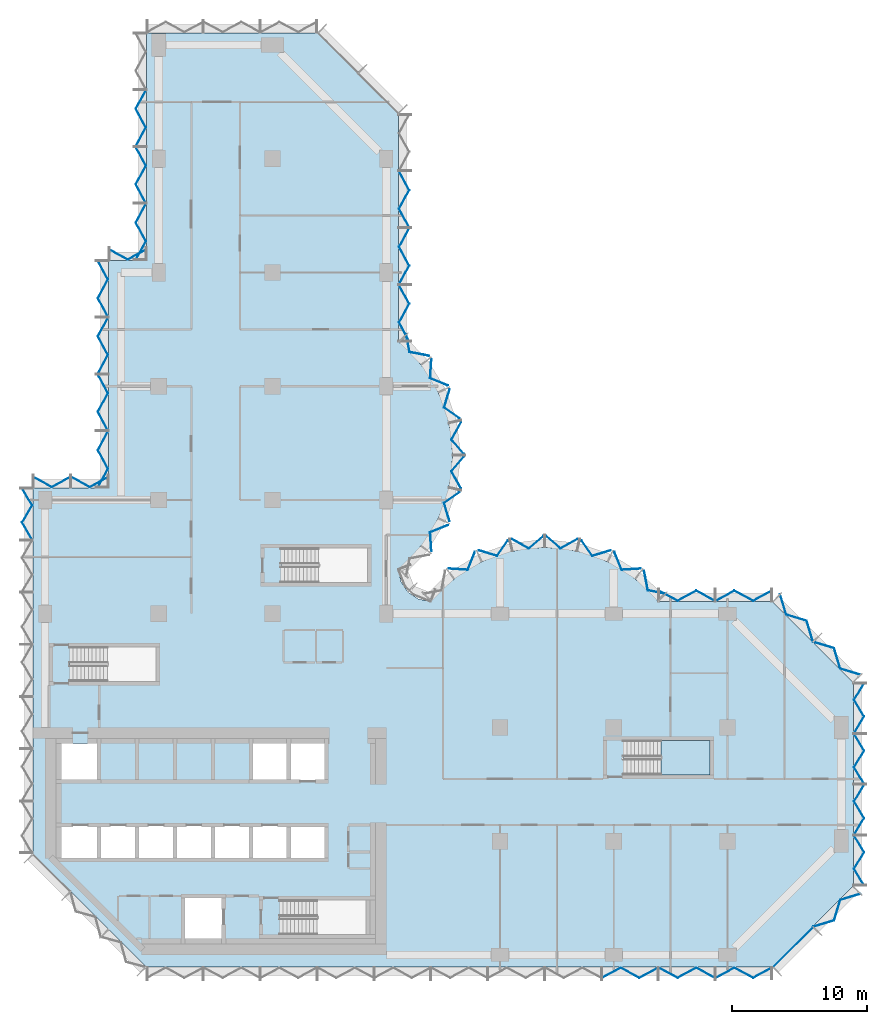
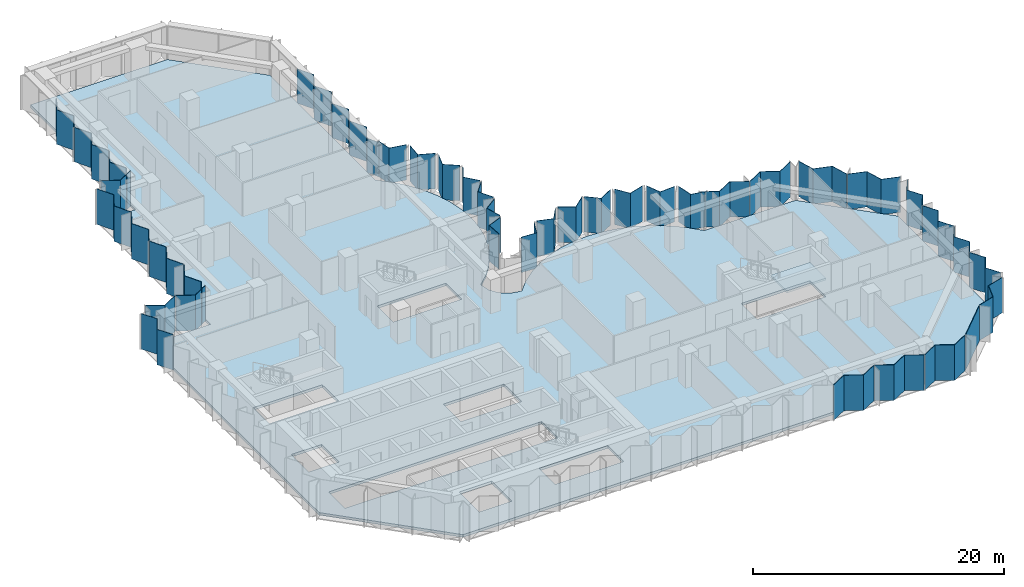
# One storey, part 4 of 11: 41 plates, 2 slabs, 14 elements without a shape of their own.
"""IFC4 building model written with IfcOpenShell, lengths in metres."""

from ifc_helpers import new_model, si_unit, direction, frame, origin, place, context, subcontext, project, spatial, polyline, outline, extrude, material, layer, layer_set, type_object, element, aggregate, save


model = new_model("IFC4")

# Units and contexts
model_context = context("Model", 3, precision=1e-05, world=origin(), true_north=direction((0.0, 1.0)))
body_context = subcontext(model_context, "Body", "Model", "MODEL_VIEW")
ifc_project = project(units=[si_unit("LENGTHUNIT", "METRE"), si_unit("AREAUNIT", "SQUARE_METRE"), si_unit("VOLUMEUNIT", "CUBIC_METRE"), si_unit("PLANEANGLEUNIT", "RADIAN"), si_unit("MASSUNIT", "GRAM", prefix="KILO")], contexts=[model_context])

# Site, building, storey
site_placement = place(None, origin())
site = spatial("IfcSite", under=ifc_project, at=site_placement, CompositionType="ELEMENT")
building_placement = place(site_placement, origin())
building = spatial("IfcBuilding", under=site, at=building_placement, Name="Brevane Broadcast Tower", CompositionType="ELEMENT")
storey_placement = place(building_placement, frame((0.0, 0.0, 152.89990234375)))
storey = spatial("IfcBuildingStorey", under=building, at=storey_placement, Name="L38", CompositionType="ELEMENT", Elevation=152.89990234375)

# Curtain wall, plates
ifc_material_1 = material(Name="Aluminium 6063-T6 bronze anodised", Category="aluminium")
curtain_wall_type = type_object("IfcCurtainWallType", Name="CW-1 curtain wall", PredefinedType="NOTDEFINED", material=ifc_material_1)
curtain_wall_1_placement = place(storey_placement, origin())
curtain_wall_1 = element("IfcCurtainWall", 1, at=curtain_wall_1_placement, inside=storey, type_object=curtain_wall_type, Name="CW-1 typical tilted unit L38 south face", PredefinedType="NOTDEFINED")
ifc_material_2 = material(Name="Laminated glass bronze-tinted", Category="glass")
ifc_layer_1 = layer(ifc_material_2, 0.0400390625)
ifc_layer_set_1 = layer_set([ifc_layer_1], Name="CW tall glass panel 40")
plate_type = type_object("IfcPlateType", Name="CW tall glass panel 40", PredefinedType="CURTAIN_PANEL", material=ifc_layer_set_1)
plate_1_placement = place(storey_placement, frame((0.0, 0.0, -0.14990234375)))
plate_1 = element("IfcPlate", 2, at=plate_1_placement, type_object=plate_type, Name="CW-1 glass panel", PredefinedType="CURTAIN_PANEL", context=body_context, shape_type="SweptSolid", body=[
    extrude(outline(polyline([(41.135009765625, -1.671630859375), (41.135009765625, -1.717041015625), (42.51171875, -0.97265625), (43.88818359375, -1.717041015625), (45.264892578125, -0.97265625), (45.264892578125, -0.92724609375), (43.88818359375, -1.671630859375), (42.51171875, -0.92724609375), (41.135009765625, -1.671630859375)])), origin(), (0.0, 0.0, 1.0), 3.449951171875),
])
plate_2_placement = place(storey_placement, frame((0.0, 0.0, -0.14990234375)))
plate_2 = element("IfcPlate", 3, at=plate_2_placement, type_object=plate_type, Name="CW-1 glass panel", PredefinedType="CURTAIN_PANEL", context=body_context, shape_type="SweptSolid", body=[
    extrude(outline(polyline([(45.3349609375, -0.92724609375), (45.3349609375, -0.97265625), (46.711669921875, -1.717041015625), (48.08837890625, -0.97265625), (49.465087890625, -1.717041015625), (49.465087890625, -1.671630859375), (48.08837890625, -0.92724609375), (46.711669921875, -1.671630859375), (45.3349609375, -0.92724609375)])), origin(), (0.0, 0.0, 1.0), 3.449951171875),
])
plate_3_placement = place(storey_placement, frame((0.0, 0.0, -0.14990234375)))
plate_3 = element("IfcPlate", 4, at=plate_3_placement, type_object=plate_type, Name="CW-1 glass panel", PredefinedType="CURTAIN_PANEL", context=body_context, shape_type="SweptSolid", body=[
    extrude(outline(polyline([(49.534912109375, -1.671630859375), (49.534912109375, -1.717041015625), (50.91162109375, -0.97265625), (52.288330078125, -1.717041015625), (53.6650390625, -0.97265625), (53.6650390625, -0.92724609375), (52.288330078125, -1.671630859375), (50.91162109375, -0.92724609375), (49.534912109375, -1.671630859375)])), origin(), (0.0, 0.0, 1.0), 3.449951171875),
])
aggregate(curtain_wall_1, [plate_1, plate_2, plate_3])

curtain_wall_2_placement = place(storey_placement, origin())
curtain_wall_2 = element("IfcCurtainWall", 5, at=curtain_wall_2_placement, inside=storey, type_object=curtain_wall_type, Name="CW-1 typical tilted unit L38 south-east chamfer", PredefinedType="NOTDEFINED")
plate_4_placement = place(storey_placement, frame((0.0, 0.0, -0.14990234375)))
plate_4 = element("IfcPlate", 6, at=plate_4_placement, type_object=plate_type, Name="CW-1 glass panel", PredefinedType="CURTAIN_PANEL", context=body_context, shape_type="SweptSolid", body=[
    extrude(outline(polyline([(53.74609375, -0.896484375), (56.696533203125, 2.053955078125), (56.724609375, 2.02587890625), (53.774169921875, -0.9248046875), (53.74609375, -0.896484375)])), origin(), (0.0, 0.0, 1.0), 3.449951171875),
])
plate_5_placement = place(storey_placement, frame((0.0, 0.0, -0.14990234375)))
plate_5 = element("IfcPlate", 7, at=plate_5_placement, type_object=plate_type, Name="CW-1 glass panel", PredefinedType="CURTAIN_PANEL", context=body_context, shape_type="SweptSolid", body=[
    extrude(outline(polyline([(56.744140625, 2.10546875), (56.776123046875, 2.073486328125), (58.285888671875, 2.530517578125), (58.7431640625, 4.040283203125), (60.2529296875, 4.49755859375), (60.220947265625, 4.529541015625), (58.711181640625, 4.072509765625), (58.25390625, 2.5625), (56.744140625, 2.10546875)])), origin(), (0.0, 0.0, 1.0), 3.449951171875),
])
aggregate(curtain_wall_2, [plate_4, plate_5])

curtain_wall_3_placement = place(storey_placement, origin())
curtain_wall_3 = element("IfcCurtainWall", 8, at=curtain_wall_3_placement, inside=storey, type_object=curtain_wall_type, Name="CW-1 typical tilted unit L38 east end", PredefinedType="NOTDEFINED")
plate_6_placement = place(storey_placement, frame((0.0, 0.0, -0.14990234375)))
plate_6 = element("IfcPlate", 9, at=plate_6_placement, type_object=plate_type, Name="CW-1 glass panel", PredefinedType="CURTAIN_PANEL", context=body_context, shape_type="SweptSolid", body=[
    extrude(outline(polyline([(60.470947265625, 5.135009765625), (60.517822265625, 5.135009765625), (59.7734375, 6.36181640625), (60.517822265625, 7.58837890625), (59.7734375, 8.81494140625), (59.7265625, 8.81494140625), (60.470947265625, 7.58837890625), (59.7265625, 6.36181640625), (60.470947265625, 5.135009765625)])), origin(), (0.0, 0.0, 1.0), 3.449951171875),
])
plate_7_placement = place(storey_placement, frame((0.0, 0.0, -0.14990234375)))
plate_7 = element("IfcPlate", 10, at=plate_7_placement, type_object=plate_type, Name="CW-1 glass panel", PredefinedType="CURTAIN_PANEL", context=body_context, shape_type="SweptSolid", body=[
    extrude(outline(polyline([(59.7265625, 8.885009765625), (59.7734375, 8.885009765625), (60.517822265625, 10.11181640625), (59.7734375, 11.33837890625), (60.517822265625, 12.56494140625), (60.470947265625, 12.56494140625), (59.7265625, 11.33837890625), (60.470947265625, 10.11181640625), (59.7265625, 8.885009765625)])), origin(), (0.0, 0.0, 1.0), 3.449951171875),
])
plate_8_placement = place(storey_placement, frame((0.0, 0.0, -0.14990234375)))
plate_8 = element("IfcPlate", 11, at=plate_8_placement, type_object=plate_type, Name="CW-1 glass panel", PredefinedType="CURTAIN_PANEL", context=body_context, shape_type="SweptSolid", body=[
    extrude(outline(polyline([(60.470947265625, 12.635009765625), (60.517822265625, 12.635009765625), (59.7734375, 13.86181640625), (60.517822265625, 15.08837890625), (59.7734375, 16.31494140625), (59.7265625, 16.31494140625), (60.470947265625, 15.08837890625), (59.7265625, 13.86181640625), (60.470947265625, 12.635009765625)])), origin(), (0.0, 0.0, 1.0), 3.449951171875),
])
plate_9_placement = place(storey_placement, frame((0.0, 0.0, -0.14990234375)))
plate_9 = element("IfcPlate", 12, at=plate_9_placement, type_object=plate_type, Name="CW-1 glass panel", PredefinedType="CURTAIN_PANEL", context=body_context, shape_type="SweptSolid", body=[
    extrude(outline(polyline([(59.7265625, 16.385009765625), (59.7734375, 16.385009765625), (60.517822265625, 17.61181640625), (59.7734375, 18.83837890625), (60.517822265625, 20.06494140625), (60.470947265625, 20.06494140625), (59.7265625, 18.83837890625), (60.470947265625, 17.61181640625), (59.7265625, 16.385009765625)])), origin(), (0.0, 0.0, 1.0), 3.449951171875),
])
aggregate(curtain_wall_3, [plate_6, plate_7, plate_8, plate_9])

curtain_wall_4_placement = place(storey_placement, origin())
curtain_wall_4 = element("IfcCurtainWall", 13, at=curtain_wall_4_placement, inside=storey, type_object=curtain_wall_type, Name="CW-1 typical tilted unit L38 north-east chamfer", PredefinedType="NOTDEFINED")
plate_10_placement = place(storey_placement, frame((0.0, 0.0, -0.14990234375)))
plate_10 = element("IfcPlate", 14, at=plate_10_placement, type_object=plate_type, Name="CW-1 glass panel", PredefinedType="CURTAIN_PANEL", context=body_context, shape_type="SweptSolid", body=[
    extrude(outline(polyline([(60.220947265625, 20.67041015625), (60.2529296875, 20.702392578125), (58.7431640625, 21.15966796875), (58.285888671875, 22.66943359375), (56.776123046875, 23.126708984375), (56.744140625, 23.094482421875), (58.25390625, 22.637451171875), (58.711181640625, 21.127685546875), (60.220947265625, 20.67041015625)])), origin(), (0.0, 0.0, 1.0), 3.449951171875),
])
plate_11_placement = place(storey_placement, frame((0.0, 0.0, -0.14990234375)))
plate_11 = element("IfcPlate", 15, at=plate_11_placement, type_object=plate_type, Name="CW-1 glass panel", PredefinedType="CURTAIN_PANEL", context=body_context, shape_type="SweptSolid", body=[
    extrude(outline(polyline([(56.694580078125, 23.14404296875), (56.7265625, 23.176025390625), (56.26953125, 24.68603515625), (54.759521484375, 25.14306640625), (54.302490234375, 26.653076171875), (54.2705078125, 26.620849609375), (54.7275390625, 25.111083984375), (56.2373046875, 24.65380859375), (56.694580078125, 23.14404296875)])), origin(), (0.0, 0.0, 1.0), 3.449951171875),
])
aggregate(curtain_wall_4, [plate_10, plate_11])

curtain_wall_5_placement = place(storey_placement, origin())
curtain_wall_5 = element("IfcCurtainWall", 16, at=curtain_wall_5_placement, inside=storey, type_object=curtain_wall_type, Name="CW-1 typical tilted unit L38 east arm north face", PredefinedType="NOTDEFINED")
plate_12_placement = place(storey_placement, frame((0.0, 0.0, -0.14990234375)))
plate_12 = element("IfcPlate", 17, at=plate_12_placement, type_object=plate_type, Name="CW-1 glass panel", PredefinedType="CURTAIN_PANEL", context=body_context, shape_type="SweptSolid", body=[
    extrude(outline(polyline([(53.6650390625, 26.87158203125), (53.6650390625, 26.9169921875), (52.288330078125, 26.172607421875), (50.91162109375, 26.9169921875), (49.534912109375, 26.172607421875), (49.534912109375, 26.127197265625), (50.91162109375, 26.87158203125), (52.288330078125, 26.127197265625), (53.6650390625, 26.87158203125)])), origin(), (0.0, 0.0, 1.0), 3.449951171875),
])
plate_13_placement = place(storey_placement, frame((0.0, 0.0, -0.14990234375)))
plate_13 = element("IfcPlate", 18, at=plate_13_placement, type_object=plate_type, Name="CW-1 glass panel", PredefinedType="CURTAIN_PANEL", context=body_context, shape_type="SweptSolid", body=[
    extrude(outline(polyline([(49.465087890625, 26.127197265625), (49.465087890625, 26.172607421875), (48.08837890625, 26.9169921875), (46.711669921875, 26.172607421875), (45.3349609375, 26.9169921875), (45.3349609375, 26.87158203125), (46.711669921875, 26.127197265625), (48.08837890625, 26.87158203125), (49.465087890625, 26.127197265625)])), origin(), (0.0, 0.0, 1.0), 3.449951171875),
])
aggregate(curtain_wall_5, [plate_12, plate_13])

curtain_wall_6_placement = place(storey_placement, origin())
curtain_wall_6 = element("IfcCurtainWall", 19, at=curtain_wall_6_placement, inside=storey, type_object=curtain_wall_type, Name="CW-1 typical tilted unit L38 east bow", PredefinedType="NOTDEFINED")
plate_14_placement = place(storey_placement, frame((0.0, 0.0, -0.14990234375)))
plate_14 = element("IfcPlate", 20, at=plate_14_placement, type_object=plate_type, Name="CW-1 glass panel", PredefinedType="CURTAIN_PANEL", context=body_context, shape_type="SweptSolid", body=[
    extrude(outline(polyline([(45.79150390625, 26.656005859375), (45.82470703125, 26.690185546875), (44.539306640625, 26.9423828125), (44.263916015625, 28.3857421875), (44.231201171875, 28.34375), (44.5048828125, 26.908203125), (45.79150390625, 26.656005859375)])), origin(), (0.0, 0.0, 1.0), 3.449951171875),
])
plate_15_placement = place(storey_placement, frame((0.0, 0.0, -0.14990234375)))
plate_15 = element("IfcPlate", 21, at=plate_15_placement, type_object=plate_type, Name="CW-1 glass panel", PredefinedType="CURTAIN_PANEL", context=body_context, shape_type="SweptSolid", body=[
    extrude(outline(polyline([(43.950439453125, 28.5087890625), (43.9833984375, 28.551025390625), (42.601318359375, 28.462890625), (42.0703125, 29.76171875), (42.046875, 29.712890625), (42.5751953125, 28.42138671875), (43.950439453125, 28.5087890625)])), origin(), (0.0, 0.0, 1.0), 3.449951171875),
])
plate_16_placement = place(storey_placement, frame((0.0, 0.0, -0.14990234375)))
plate_16 = element("IfcPlate", 22, at=plate_16_placement, type_object=plate_type, Name="CW-1 glass panel", PredefinedType="CURTAIN_PANEL", context=body_context, shape_type="SweptSolid", body=[
    extrude(outline(polyline([(41.75537109375, 29.851806640625), (41.778564453125, 29.900634765625), (40.435546875, 29.494384765625), (39.6328125, 30.622802734375), (39.62060546875, 30.57080078125), (40.41943359375, 29.44775390625), (41.75537109375, 29.851806640625)])), origin(), (0.0, 0.0, 1.0), 3.449951171875),
])
plate_17_placement = place(storey_placement, frame((0.0, 0.0, -0.14990234375)))
plate_17 = element("IfcPlate", 23, at=plate_17_placement, type_object=plate_type, Name="CW-1 glass panel", PredefinedType="CURTAIN_PANEL", context=body_context, shape_type="SweptSolid", body=[
    extrude(outline(polyline([(39.31640625, 30.68798828125), (39.328369140625, 30.740478515625), (38.069580078125, 30.036376953125), (37.008056640625, 30.94921875), (37.008056640625, 30.896484375), (38.064697265625, 29.98779296875), (39.31640625, 30.68798828125)])), origin(), (0.0, 0.0, 1.0), 3.449951171875),
])
plate_18_placement = place(storey_placement, frame((0.0, 0.0, -0.14990234375)))
plate_18 = element("IfcPlate", 24, at=plate_18_placement, type_object=plate_type, Name="CW-1 glass panel", PredefinedType="CURTAIN_PANEL", context=body_context, shape_type="SweptSolid", body=[
    extrude(outline(polyline([(36.7919921875, 30.896484375), (36.7919921875, 30.94921875), (35.730224609375, 30.036376953125), (34.4716796875, 30.740478515625), (34.483642578125, 30.68798828125), (35.735107421875, 29.98779296875), (36.7919921875, 30.896484375)])), origin(), (0.0, 0.0, 1.0), 3.449951171875),
])
plate_19_placement = place(storey_placement, frame((0.0, 0.0, -0.14990234375)))
plate_19 = element("IfcPlate", 25, at=plate_19_placement, type_object=plate_type, Name="CW-1 glass panel", PredefinedType="CURTAIN_PANEL", context=body_context, shape_type="SweptSolid", body=[
    extrude(outline(polyline([(34.17919921875, 30.57080078125), (34.167236328125, 30.622802734375), (33.364501953125, 29.494384765625), (32.021484375, 29.900634765625), (32.044677734375, 29.851806640625), (33.380615234375, 29.44775390625), (34.17919921875, 30.57080078125)])), origin(), (0.0, 0.0, 1.0), 3.449951171875),
])
plate_20_placement = place(storey_placement, frame((0.0, 0.0, -0.14990234375)))
plate_20 = element("IfcPlate", 26, at=plate_20_placement, type_object=plate_type, Name="CW-1 glass panel", PredefinedType="CURTAIN_PANEL", context=body_context, shape_type="SweptSolid", body=[
    extrude(outline(polyline([(31.753173828125, 29.712890625), (31.729736328125, 29.76171875), (31.198486328125, 28.462890625), (29.816650390625, 28.551025390625), (29.849609375, 28.5087890625), (31.224609375, 28.42138671875), (31.753173828125, 29.712890625)])), origin(), (0.0, 0.0, 1.0), 3.449951171875),
])
aggregate(curtain_wall_6, [plate_14, plate_15, plate_16, plate_17, plate_18, plate_19, plate_20])

curtain_wall_7_placement = place(storey_placement, origin())
curtain_wall_7 = element("IfcCurtainWall", 27, at=curtain_wall_7_placement, inside=storey, type_object=curtain_wall_type, Name="CW-1 typical tilted unit L38 north bow", PredefinedType="NOTDEFINED")
plate_21_placement = place(storey_placement, frame((0.0, 0.0, -0.14990234375)))
plate_21 = element("IfcPlate", 28, at=plate_21_placement, type_object=plate_type, Name="CW-1 glass panel", PredefinedType="CURTAIN_PANEL", context=body_context, shape_type="SweptSolid", body=[
    extrude(outline(polyline([(28.5087890625, 29.849609375), (28.551025390625, 29.816650390625), (28.462890625, 31.198486328125), (29.76171875, 31.729736328125), (29.712890625, 31.753173828125), (28.42138671875, 31.224609375), (28.5087890625, 29.849609375)])), origin(), (0.0, 0.0, 1.0), 3.449951171875),
])
plate_22_placement = place(storey_placement, frame((0.0, 0.0, -0.14990234375)))
plate_22 = element("IfcPlate", 29, at=plate_22_placement, type_object=plate_type, Name="CW-1 glass panel", PredefinedType="CURTAIN_PANEL", context=body_context, shape_type="SweptSolid", body=[
    extrude(outline(polyline([(29.851806640625, 32.044677734375), (29.900634765625, 32.021484375), (29.494384765625, 33.364501953125), (30.622802734375, 34.167236328125), (30.57080078125, 34.17919921875), (29.44775390625, 33.380615234375), (29.851806640625, 32.044677734375)])), origin(), (0.0, 0.0, 1.0), 3.449951171875),
])
plate_23_placement = place(storey_placement, frame((0.0, 0.0, -0.14990234375)))
plate_23 = element("IfcPlate", 30, at=plate_23_placement, type_object=plate_type, Name="CW-1 glass panel", PredefinedType="CURTAIN_PANEL", context=body_context, shape_type="SweptSolid", body=[
    extrude(outline(polyline([(30.68798828125, 34.483642578125), (30.740478515625, 34.4716796875), (30.036376953125, 35.730224609375), (30.94921875, 36.7919921875), (30.896484375, 36.7919921875), (29.98779296875, 35.735107421875), (30.68798828125, 34.483642578125)])), origin(), (0.0, 0.0, 1.0), 3.449951171875),
])
plate_24_placement = place(storey_placement, frame((0.0, 0.0, -0.14990234375)))
plate_24 = element("IfcPlate", 31, at=plate_24_placement, type_object=plate_type, Name="CW-1 glass panel", PredefinedType="CURTAIN_PANEL", context=body_context, shape_type="SweptSolid", body=[
    extrude(outline(polyline([(30.896484375, 37.008056640625), (30.94921875, 37.008056640625), (30.036376953125, 38.069580078125), (30.740478515625, 39.328369140625), (30.68798828125, 39.31640625), (29.98779296875, 38.064697265625), (30.896484375, 37.008056640625)])), origin(), (0.0, 0.0, 1.0), 3.449951171875),
])
plate_25_placement = place(storey_placement, frame((0.0, 0.0, -0.14990234375)))
plate_25 = element("IfcPlate", 32, at=plate_25_placement, type_object=plate_type, Name="CW-1 glass panel", PredefinedType="CURTAIN_PANEL", context=body_context, shape_type="SweptSolid", body=[
    extrude(outline(polyline([(30.57080078125, 39.62060546875), (30.622802734375, 39.6328125), (29.494384765625, 40.435546875), (29.900634765625, 41.778564453125), (29.851806640625, 41.75537109375), (29.44775390625, 40.41943359375), (30.57080078125, 39.62060546875)])), origin(), (0.0, 0.0, 1.0), 3.449951171875),
])
plate_26_placement = place(storey_placement, frame((0.0, 0.0, -0.14990234375)))
plate_26 = element("IfcPlate", 33, at=plate_26_placement, type_object=plate_type, Name="CW-1 glass panel", PredefinedType="CURTAIN_PANEL", context=body_context, shape_type="SweptSolid", body=[
    extrude(outline(polyline([(29.712890625, 42.046875), (29.76171875, 42.0703125), (28.462890625, 42.601318359375), (28.551025390625, 43.9833984375), (28.5087890625, 43.950439453125), (28.42138671875, 42.5751953125), (29.712890625, 42.046875)])), origin(), (0.0, 0.0, 1.0), 3.449951171875),
])
plate_27_placement = place(storey_placement, frame((0.0, 0.0, -0.14990234375)))
plate_27 = element("IfcPlate", 34, at=plate_27_placement, type_object=plate_type, Name="CW-1 glass panel", PredefinedType="CURTAIN_PANEL", context=body_context, shape_type="SweptSolid", body=[
    extrude(outline(polyline([(28.34375, 44.231201171875), (28.3857421875, 44.263916015625), (26.9423828125, 44.539306640625), (26.690185546875, 45.82470703125), (26.656005859375, 45.79150390625), (26.908203125, 44.5048828125), (28.34375, 44.231201171875)])), origin(), (0.0, 0.0, 1.0), 3.449951171875),
])
aggregate(curtain_wall_7, [plate_21, plate_22, plate_23, plate_24, plate_25, plate_26, plate_27])

curtain_wall_8_placement = place(storey_placement, origin())
curtain_wall_8 = element("IfcCurtainWall", 35, at=curtain_wall_8_placement, inside=storey, type_object=curtain_wall_type, Name="CW-1 typical tilted unit L38 north arm east face", PredefinedType="NOTDEFINED")
plate_28_placement = place(storey_placement, frame((0.0, 0.0, -0.14990234375)))
plate_28 = element("IfcPlate", 36, at=plate_28_placement, type_object=plate_type, Name="CW-1 glass panel", PredefinedType="CURTAIN_PANEL", context=body_context, shape_type="SweptSolid", body=[
    extrude(outline(polyline([(26.87158203125, 45.3349609375), (26.9169921875, 45.3349609375), (26.172607421875, 46.711669921875), (26.9169921875, 48.08837890625), (26.172607421875, 49.465087890625), (26.127197265625, 49.465087890625), (26.87158203125, 48.08837890625), (26.127197265625, 46.711669921875), (26.87158203125, 45.3349609375)])), origin(), (0.0, 0.0, 1.0), 3.35009765625),
])
plate_29_placement = place(storey_placement, frame((0.0, 0.0, -0.14990234375)))
plate_29 = element("IfcPlate", 37, at=plate_29_placement, type_object=plate_type, Name="CW-1 glass panel", PredefinedType="CURTAIN_PANEL", context=body_context, shape_type="SweptSolid", body=[
    extrude(outline(polyline([(26.127197265625, 49.534912109375), (26.172607421875, 49.534912109375), (26.9169921875, 50.91162109375), (26.172607421875, 52.288330078125), (26.9169921875, 53.6650390625), (26.87158203125, 53.6650390625), (26.127197265625, 52.288330078125), (26.87158203125, 50.91162109375), (26.127197265625, 49.534912109375)])), origin(), (0.0, 0.0, 1.0), 3.35009765625),
])
plate_30_placement = place(storey_placement, frame((0.0, 0.0, -0.14990234375)))
plate_30 = element("IfcPlate", 38, at=plate_30_placement, type_object=plate_type, Name="CW-1 glass panel", PredefinedType="CURTAIN_PANEL", context=body_context, shape_type="SweptSolid", body=[
    extrude(outline(polyline([(26.87158203125, 53.735107421875), (26.9169921875, 53.735107421875), (26.172607421875, 55.11181640625), (26.9169921875, 56.48828125), (26.172607421875, 57.864990234375), (26.127197265625, 57.864990234375), (26.87158203125, 56.48828125), (26.127197265625, 55.11181640625), (26.87158203125, 53.735107421875)])), origin(), (0.0, 0.0, 1.0), 3.35009765625),
])
aggregate(curtain_wall_8, [plate_28, plate_29, plate_30])

curtain_wall_9_placement = place(storey_placement, origin())
curtain_wall_9 = element("IfcCurtainWall", 39, at=curtain_wall_9_placement, inside=storey, type_object=curtain_wall_type, Name="CW-1 typical tilted unit L38 north wing west face above the set-back", PredefinedType="NOTDEFINED")
plate_31_placement = place(storey_placement, frame((0.0, 0.0, -0.14990234375)))
plate_31 = element("IfcPlate", 40, at=plate_31_placement, type_object=plate_type, Name="CW-1 glass panel", PredefinedType="CURTAIN_PANEL", context=body_context, shape_type="SweptSolid", body=[
    extrude(outline(polyline([(7.47265625, 63.864990234375), (7.42724609375, 63.864990234375), (6.682861328125, 62.48828125), (7.42724609375, 61.11181640625), (6.682861328125, 59.735107421875), (6.728271484375, 59.735107421875), (7.47265625, 61.11181640625), (6.728271484375, 62.48828125), (7.47265625, 63.864990234375)])), origin(), (0.0, 0.0, 1.0), 3.35009765625),
])
plate_32_placement = place(storey_placement, frame((0.0, 0.0, -0.14990234375)))
plate_32 = element("IfcPlate", 41, at=plate_32_placement, type_object=plate_type, Name="CW-1 glass panel", PredefinedType="CURTAIN_PANEL", context=body_context, shape_type="SweptSolid", body=[
    extrude(outline(polyline([(6.728271484375, 59.6650390625), (6.682861328125, 59.6650390625), (7.42724609375, 58.288330078125), (6.682861328125, 56.91162109375), (7.42724609375, 55.534912109375), (7.47265625, 55.534912109375), (6.728271484375, 56.91162109375), (7.47265625, 58.288330078125), (6.728271484375, 59.6650390625)])), origin(), (0.0, 0.0, 1.0), 3.35009765625),
])
plate_33_placement = place(storey_placement, frame((0.0, 0.0, -0.14990234375)))
plate_33 = element("IfcPlate", 42, at=plate_33_placement, type_object=plate_type, Name="CW-1 glass panel", PredefinedType="CURTAIN_PANEL", context=body_context, shape_type="SweptSolid", body=[
    extrude(outline(polyline([(7.47265625, 55.465087890625), (7.42724609375, 55.465087890625), (6.682861328125, 54.08837890625), (7.42724609375, 52.711669921875), (6.682861328125, 51.3349609375), (6.728271484375, 51.3349609375), (7.47265625, 52.711669921875), (6.728271484375, 54.08837890625), (7.47265625, 55.465087890625)])), origin(), (0.0, 0.0, 1.0), 3.35009765625),
])
aggregate(curtain_wall_9, [plate_31, plate_32, plate_33])

# Curtain wall, plate
curtain_wall_10_placement = place(storey_placement, origin())
curtain_wall_10 = element("IfcCurtainWall", 43, at=curtain_wall_10_placement, inside=storey, type_object=curtain_wall_type, Name="CW-1 typical tilted unit L38 north wing west return", PredefinedType="NOTDEFINED")
plate_34_placement = place(storey_placement, frame((0.0, 0.0, -0.14990234375)))
plate_34 = element("IfcPlate", 44, at=plate_34_placement, type_object=plate_type, Name="CW-1 glass panel", PredefinedType="CURTAIN_PANEL", context=body_context, shape_type="SweptSolid", body=[
    extrude(outline(polyline([(7.465087890625, 52.071533203125), (7.465087890625, 52.1171875), (6.10009765625, 51.372802734375), (4.735107421875, 52.1171875), (4.735107421875, 52.071533203125), (6.10009765625, 51.3271484375), (7.465087890625, 52.071533203125)])), origin(), (0.0, 0.0, 1.0), 3.449951171875),
])
aggregate(curtain_wall_10, [plate_34])

# Curtain wall, plates
curtain_wall_11_placement = place(storey_placement, origin())
curtain_wall_11 = element("IfcCurtainWall", 45, at=curtain_wall_11_placement, inside=storey, type_object=curtain_wall_type, Name="CW-1 typical tilted unit L38 north wing west face, lower block", PredefinedType="NOTDEFINED")
plate_35_placement = place(storey_placement, frame((0.0, 0.0, -0.14990234375)))
plate_35 = element("IfcPlate", 46, at=plate_35_placement, type_object=plate_type, Name="CW-1 glass panel", PredefinedType="CURTAIN_PANEL", context=body_context, shape_type="SweptSolid", body=[
    extrude(outline(polyline([(3.92822265625, 51.264892578125), (3.8828125, 51.264892578125), (4.627197265625, 49.88818359375), (3.8828125, 48.51171875), (4.627197265625, 47.135009765625), (4.672607421875, 47.135009765625), (3.92822265625, 48.51171875), (4.672607421875, 49.88818359375), (3.92822265625, 51.264892578125)])), origin(), (0.0, 0.0, 1.0), 3.449951171875),
])
plate_36_placement = place(storey_placement, frame((0.0, 0.0, -0.14990234375)))
plate_36 = element("IfcPlate", 47, at=plate_36_placement, type_object=plate_type, Name="CW-1 glass panel", PredefinedType="CURTAIN_PANEL", context=body_context, shape_type="SweptSolid", body=[
    extrude(outline(polyline([(4.672607421875, 47.06494140625), (4.627197265625, 47.06494140625), (3.8828125, 45.688232421875), (4.627197265625, 44.311767578125), (3.8828125, 42.93505859375), (3.92822265625, 42.93505859375), (4.672607421875, 44.311767578125), (3.92822265625, 45.688232421875), (4.672607421875, 47.06494140625)])), origin(), (0.0, 0.0, 1.0), 3.449951171875),
])
plate_37_placement = place(storey_placement, frame((0.0, 0.0, -0.14990234375)))
plate_37 = element("IfcPlate", 48, at=plate_37_placement, type_object=plate_type, Name="CW-1 glass panel", PredefinedType="CURTAIN_PANEL", context=body_context, shape_type="SweptSolid", body=[
    extrude(outline(polyline([(3.92822265625, 42.864990234375), (3.8828125, 42.864990234375), (4.627197265625, 41.48828125), (3.8828125, 40.11181640625), (4.627197265625, 38.735107421875), (4.672607421875, 38.735107421875), (3.92822265625, 40.11181640625), (4.672607421875, 41.48828125), (3.92822265625, 42.864990234375)])), origin(), (0.0, 0.0, 1.0), 3.449951171875),
])
plate_38_placement = place(storey_placement, frame((0.0, 0.0, -0.14990234375)))
plate_38 = element("IfcPlate", 49, at=plate_38_placement, type_object=plate_type, Name="CW-1 glass panel", PredefinedType="CURTAIN_PANEL", context=body_context, shape_type="SweptSolid", body=[
    extrude(outline(polyline([(4.672607421875, 38.6650390625), (4.627197265625, 38.6650390625), (3.8828125, 37.288330078125), (4.627197265625, 35.91162109375), (3.8828125, 34.534912109375), (3.92822265625, 34.534912109375), (4.672607421875, 35.91162109375), (3.92822265625, 37.288330078125), (4.672607421875, 38.6650390625)])), origin(), (0.0, 0.0, 1.0), 3.449951171875),
])
aggregate(curtain_wall_11, [plate_35, plate_36, plate_37, plate_38])

curtain_wall_12_placement = place(storey_placement, origin())
curtain_wall_12 = element("IfcCurtainWall", 50, at=curtain_wall_12_placement, inside=storey, type_object=curtain_wall_type, Name="CW-1 typical tilted unit L38 north wing west return, lower block", PredefinedType="NOTDEFINED")
plate_39_placement = place(storey_placement, frame((0.0, 0.0, -0.14990234375)))
plate_39 = element("IfcPlate", 51, at=plate_39_placement, type_object=plate_type, Name="CW-1 glass panel", PredefinedType="CURTAIN_PANEL", context=body_context, shape_type="SweptSolid", body=[
    extrude(outline(polyline([(4.6650390625, 35.271484375), (4.6650390625, 35.317138671875), (3.300048828125, 34.57275390625), (1.93505859375, 35.317138671875), (1.93505859375, 35.271484375), (3.300048828125, 34.527099609375), (4.6650390625, 35.271484375)])), origin(), (0.0, 0.0, 1.0), 3.449951171875),
])
plate_40_placement = place(storey_placement, frame((0.0, 0.0, -0.14990234375)))
plate_40 = element("IfcPlate", 52, at=plate_40_placement, type_object=plate_type, Name="CW-1 glass panel", PredefinedType="CURTAIN_PANEL", context=body_context, shape_type="SweptSolid", body=[
    extrude(outline(polyline([(1.864990234375, 35.271484375), (1.864990234375, 35.317138671875), (0.5, 34.57275390625), (-0.864990234375, 35.317138671875), (-0.864990234375, 35.271484375), (0.5, 34.527099609375), (1.864990234375, 35.271484375)])), origin(), (0.0, 0.0, 1.0), 3.449951171875),
])
aggregate(curtain_wall_12, [plate_39, plate_40])

# Curtain wall, plate
curtain_wall_13_placement = place(storey_placement, origin())
curtain_wall_13 = element("IfcCurtainWall", 53, at=curtain_wall_13_placement, inside=storey, type_object=curtain_wall_type, Name="CW-1 typical tilted unit L38 west face", PredefinedType="NOTDEFINED")
plate_41_placement = place(storey_placement, frame((0.0, 0.0, -0.14990234375)))
plate_41 = element("IfcPlate", 54, at=plate_41_placement, type_object=plate_type, Name="CW-1 glass panel", PredefinedType="CURTAIN_PANEL", context=body_context, shape_type="SweptSolid", body=[
    extrude(outline(polyline([(-1.671142578125, 34.465087890625), (-1.717529296875, 34.465087890625), (-0.97314453125, 33.20263671875), (-1.717529296875, 31.940185546875), (-0.97314453125, 30.677978515625), (-0.9267578125, 30.677978515625), (-1.671142578125, 31.940185546875), (-0.9267578125, 33.20263671875), (-1.671142578125, 34.465087890625)])), origin(), (0.0, 0.0, 1.0), 3.449951171875),
])
aggregate(curtain_wall_13, [plate_41])

# Stair, slab
ifc_material_3 = material(Name="Concrete C50/60", Category="concrete")
stair_type = type_object("IfcStairType", Name="Exit stair 22 risers", PredefinedType="HALF_TURN_STAIR", material=ifc_material_3)
stair_placement = place(storey_placement, origin())
stair = element("IfcStair", 55, at=stair_placement, inside=storey, type_object=stair_type, Name="L38 Exit stair ST-4", PredefinedType="HALF_TURN_STAIR")
ifc_layer_2 = layer(ifc_material_3, 0.199951171875)
ifc_layer_set_2 = layer_set([ifc_layer_2], Name="Exit stair landing")
slab_type_1 = type_object("IfcSlabType", Name="Exit stair landing", PredefinedType="LANDING", material=ifc_layer_set_2)
slab_1_placement = place(storey_placement, frame((0.0, 0.0, 1.60009765625)))
slab_1 = element("IfcSlab", 56, at=slab_1_placement, type_object=slab_type_1, Name="ST-4 landing 1", PredefinedType="LANDING", context=body_context, shape_type="SweptSolid", body=[
    extrude(outline(polyline([(45.5, 13.300048828125), (49.10009765625, 13.300048828125), (49.10009765625, 15.85009765625), (45.5, 15.85009765625), (45.5, 13.300048828125)])), origin(), (0.0, 0.0, 1.0), 0.199951171875),
])
aggregate(stair, [slab_1])

# Slab
ifc_material_4 = material(Name="Concrete C40/50", Category="concrete")
ifc_layer_3 = layer(ifc_material_4, 0.25)
ifc_layer_set_3 = layer_set([ifc_layer_3], Name="RC FLOOR SLAB 250 C40/50")
slab_type_2 = type_object("IfcSlabType", Name="RC FLOOR SLAB 250 C40/50", PredefinedType="FLOOR", material=ifc_layer_set_3)
slab_2_placement = place(storey_placement, frame((0.0, 0.0, -0.25)))
element("IfcSlab", 57, at=slab_2_placement, inside=storey, type_object=slab_type_2, Name="SL250 L38", PredefinedType="FLOOR", context=body_context, shape_type="SweptSolid", body=[
    extrude(outline(polyline([(-0.89990234375, 7.5), (-0.89990234375, 34.5), (4.699951171875, 34.5), (4.699951171875, 51.300048828125), (7.5, 51.300048828125), (7.5, 68.10009765625), (20.10009765625, 68.10009765625), (26.10009765625, 62.10009765625), (26.10009765625, 45.300048828125), (27.10888671875, 44.36865234375), (27.99169921875, 43.317138671875), (28.734130859375, 42.162353515625), (29.324462890625, 40.922607421875), (29.7529296875, 39.618408203125), (30.012939453125, 38.270263671875), (30.10009765625, 36.89990234375), (30.012939453125, 35.52978515625), (29.7529296875, 34.181640625), (29.324462890625, 32.877197265625), (28.734130859375, 31.6376953125), (27.99169921875, 30.48291015625), (27.10888671875, 29.431396484375), (26.10009765625, 28.5), (26.28271484375, 27.58154296875), (26.802978515625, 26.802978515625), (27.58154296875, 26.28271484375), (28.5, 26.10009765625), (29.431396484375, 27.10888671875), (30.48291015625, 27.99169921875), (31.6376953125, 28.734130859375), (32.877197265625, 29.324462890625), (34.181640625, 29.7529296875), (35.52978515625, 30.012939453125), (36.89990234375, 30.10009765625), (38.270263671875, 30.012939453125), (39.618408203125, 29.7529296875), (40.922607421875, 29.324462890625), (42.162353515625, 28.734130859375), (43.317138671875, 27.99169921875), (44.36865234375, 27.10888671875), (45.300048828125, 26.10009765625), (53.699951171875, 26.10009765625), (59.699951171875, 20.10009765625), (59.699951171875, 5.10009765625), (53.699951171875, -0.89990234375), (7.5, -0.89990234375), (-0.89990234375, 7.5)]), holes=[polyline([(13.199951171875, 4.39990234375), (10.199951171875, 4.39990234375), (10.199951171875, 1.199951171875), (13.199951171875, 1.199951171875), (13.199951171875, 4.39990234375)]), polyline([(4.0, 9.60009765625), (1.199951171875, 9.60009765625), (1.199951171875, 7.0), (4.0, 7.0), (6.800048828125, 7.0), (9.60009765625, 7.0), (12.39990234375, 7.0), (15.199951171875, 7.0), (18.0, 7.0), (20.800048828125, 7.0), (20.800048828125, 9.60009765625), (18.0, 9.60009765625), (15.199951171875, 9.60009765625), (12.39990234375, 9.60009765625), (9.60009765625, 9.60009765625), (6.800048828125, 9.60009765625), (4.0, 9.60009765625)]), polyline([(4.0, 12.800048828125), (4.0, 15.60009765625), (1.199951171875, 15.60009765625), (1.199951171875, 12.800048828125), (4.0, 12.800048828125)]), polyline([(8.199951171875, 22.75), (1.860107421875, 22.75), (1.860107421875, 20.199951171875), (8.199951171875, 20.199951171875), (8.199951171875, 22.75)]), polyline([(23.699951171875, 4.050048828125), (17.360107421875, 4.050048828125), (17.360107421875, 1.5), (23.699951171875, 1.5), (23.699951171875, 4.050048828125)]), polyline([(18.0, 15.60009765625), (15.199951171875, 15.60009765625), (15.199951171875, 12.800048828125), (18.0, 12.800048828125), (20.800048828125, 12.800048828125), (20.800048828125, 15.60009765625), (18.0, 15.60009765625)]), polyline([(49.10009765625, 15.85009765625), (42.760009765625, 15.85009765625), (42.760009765625, 13.300048828125), (49.10009765625, 13.300048828125), (49.10009765625, 15.85009765625)]), polyline([(23.800048828125, 30.050048828125), (17.4599609375, 30.050048828125), (17.4599609375, 27.5), (23.800048828125, 27.5), (23.800048828125, 30.050048828125)])]), origin(), (0.0, 0.0, 1.0), 0.25),
])

save(model, "model.ifc")
